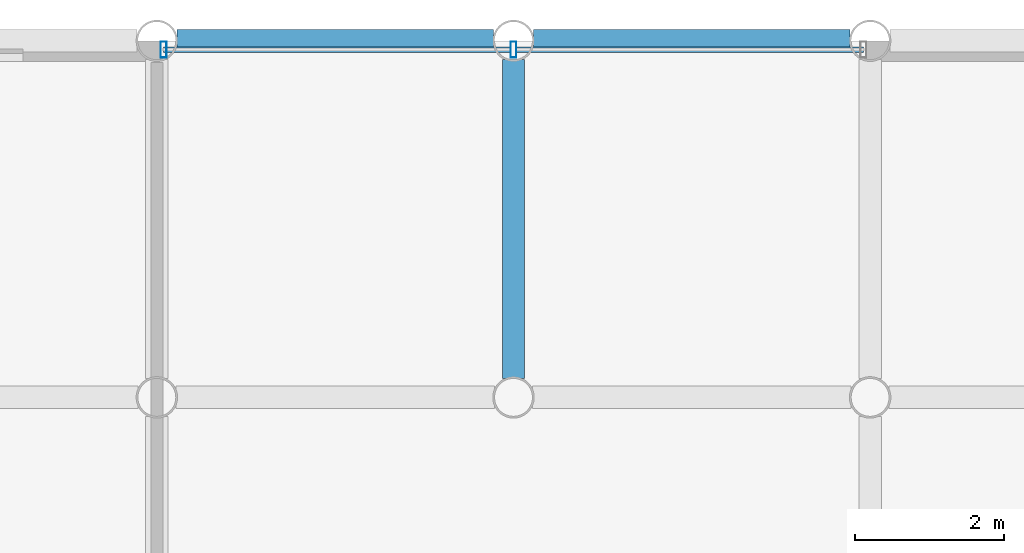
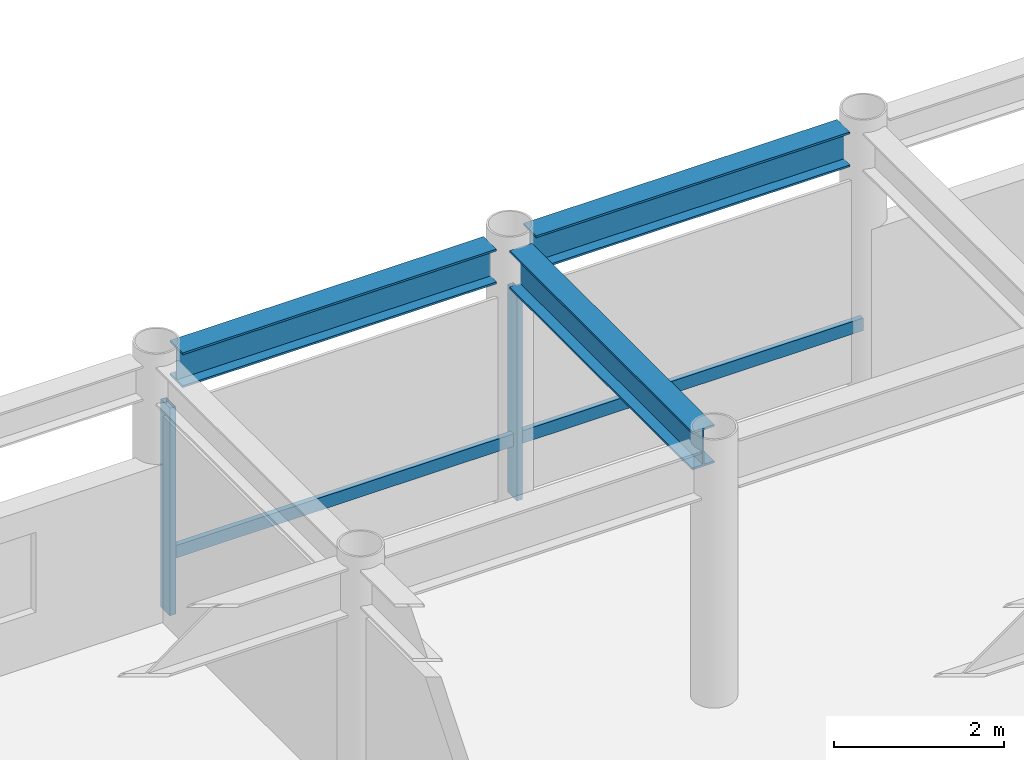
# One storey, part 14 of 22: 4 members, 3 beams, 1 element without a shape of its own.
"""IFC4 building model written with IfcOpenShell, lengths in metres."""

from ifc_helpers import new_model, si_unit, direction, frame, origin, origin_2d, place, context, subcontext, project, spatial, hollow_rectangle, i_section, extrude, material, layer, layer_set, material_profile, profile_set, type_object, element, aggregate, save


model = new_model("IFC4")

# Units and contexts
model_context = context("Model", 3, precision=1e-05, world=origin(), true_north=direction((0.0, 1.0)))
body_context = subcontext(model_context, "Body", "Model", "MODEL_VIEW")
ifc_project = project(units=[si_unit("LENGTHUNIT", "METRE"), si_unit("AREAUNIT", "SQUARE_METRE"), si_unit("VOLUMEUNIT", "CUBIC_METRE"), si_unit("PLANEANGLEUNIT", "RADIAN"), si_unit("MASSUNIT", "GRAM", prefix="KILO")], contexts=[model_context])

# Site, building, storey
site_placement = place(None, origin())
site = spatial("IfcSite", under=ifc_project, at=site_placement, CompositionType="ELEMENT")
building_placement = place(site_placement, origin())
building = spatial("IfcBuilding", under=site, at=building_placement, Name="Kallvorn Hotel Tower", CompositionType="ELEMENT")
storey_placement = place(building_placement, frame((0.0, 0.0, 230.0)))
storey = spatial("IfcBuildingStorey", under=building, at=storey_placement, Name="L57", CompositionType="ELEMENT", Elevation=230.0)

# Beams
ifc_material_1 = material(Name="Structural steel S355JR", Category="steel")
ifc_material_profile_1 = material_profile(ifc_material_1, i_section(OverallWidth=0.300048828125, OverallDepth=0.5, WebThickness=0.014404296875, FlangeThickness=0.028076171875, at=origin_2d()), Name="HE 500 B")
ifc_profile_set_1 = profile_set([ifc_material_profile_1], Name="Structural steel S355JR")
beam_type_1 = type_object("IfcBeamType", Name="BM_HE500B", PredefinedType="SPANDREL", material=ifc_profile_set_1)
for number, where, z_axis, x_axis, name in (
    (1, (-4.530517578125, 24.0, 3.419921875), (1.0, 0.0, 0.0), (0.0, 1.0, 0.0), "L58 Perimeter Spandrel 167"),
    (2, (0.26953125, 24.0, 3.419921875), (1.0, 0.0, 0.0), (0.0, 1.0, 0.0), "L58 Perimeter Spandrel 168"),
):
    element("IfcBeam", number, at=place(storey_placement, frame(where, z_axis=z_axis, x_axis=x_axis)), inside=storey, type_object=beam_type_1, Name=name, PredefinedType="SPANDREL", context=body_context, shape_type="SweptSolid", body=[
        extrude(i_section(OverallWidth=0.300048828125, OverallDepth=0.5, WebThickness=0.014404296875, FlangeThickness=0.028076171875, at=origin_2d()), origin(), (0.0, 0.0, 1.0), 4.260986328125),
    ])
ifc_material_2 = material(Name="Structural steel S355JR", Category="steel")
ifc_material_profile_2 = material_profile(ifc_material_2, i_section(OverallWidth=0.300048828125, OverallDepth=0.550048828125, WebThickness=0.014892578125, FlangeThickness=0.029052734375, at=origin_2d()), Name="HE 550 B")
ifc_profile_set_2 = profile_set([ifc_material_profile_2], Name="Structural steel S355JR")
beam_type_2 = type_object("IfcBeamType", Name="BM_HE550B", PredefinedType="SPANDREL", material=ifc_profile_set_2)
beam_placement = place(storey_placement, frame((0.0, 19.45458984375, 3.39501953125), z_axis=(0.0, 1.0, 0.0), x_axis=(-1.0, 0.0, 0.0)))
element("IfcBeam", 3, at=beam_placement, inside=storey, type_object=beam_type_2, Name="L58 Primary Y-Girder 112", PredefinedType="SPANDREL", context=body_context, shape_type="SweptSolid", body=[
    extrude(i_section(OverallWidth=0.300048828125, OverallDepth=0.550048828125, WebThickness=0.014892578125, FlangeThickness=0.029052734375, at=origin_2d()), origin(), (0.0, 0.0, 1.0), 4.291015625),
])

# Curtain wall, members
ifc_material_3 = material(Name="Thermally broken black-anodised aluminium AA 6063-T6", Category="aluminium")
ifc_layer = layer(ifc_material_3, 0.22998046875)
ifc_layer_set = layer_set([ifc_layer], Name="CW_SYS_5_HOTEL_HIGH")
curtain_wall_type = type_object("IfcCurtainWallType", Name="CW_SYS_5_HOTEL_HIGH", PredefinedType="USERDEFINED", material=ifc_layer_set)
curtain_wall_placement = place(storey_placement, origin())
curtain_wall = element("IfcCurtainWall", 4, at=curtain_wall_placement, inside=storey, type_object=curtain_wall_type, Name="L57 Dark-Glass Curtain Wall CW-L57-NC", ObjectType="UNITISED CURTAIN WALL", PredefinedType="USERDEFINED")
ifc_material_4 = material(Name="Thermally broken black-anodised aluminium AA 6063-T6", Category="aluminium")
ifc_material_profile_3 = material_profile(ifc_material_4, hollow_rectangle(XDim=0.080078125, YDim=0.219970703125, WallThickness=0.0048828125, at=origin_2d()), Name="MUL 220x80")
ifc_profile_set_3 = profile_set([ifc_material_profile_3], Name="Thermally broken black-anodised aluminium AA 6063-T6")
member_type_1 = type_object("IfcMemberType", Name="CW_MULLION_220x80", PredefinedType="MULLION", material=ifc_profile_set_3)
member_1_placement = place(storey_placement, frame((-4.7099609375, 23.8798828125, 0.02001953125), z_axis=(0.0, 0.0, 1.0), x_axis=(1.0, 0.0, 0.0)))
member_1 = element("IfcMember", 5, at=member_1_placement, type_object=member_type_1, Name="CW-L57-NC Mullion 00", PredefinedType="MULLION", context=body_context, shape_type="SweptSolid", body=[
    extrude(hollow_rectangle(XDim=0.080078125, YDim=0.219970703125, WallThickness=0.0048828125, at=origin_2d()), origin(), (0.0, 0.0, 1.0), 2.97998046875),
])
member_2_placement = place(storey_placement, frame((0.0, 23.8798828125, 0.02001953125), z_axis=(0.0, 0.0, 1.0), x_axis=(1.0, 0.0, 0.0)))
member_2 = element("IfcMember", 6, at=member_2_placement, type_object=member_type_1, Name="CW-L57-NC Mullion 01", PredefinedType="MULLION", context=body_context, shape_type="SweptSolid", body=[
    extrude(hollow_rectangle(XDim=0.080078125, YDim=0.219970703125, WallThickness=0.0048828125, at=origin_2d()), origin(), (0.0, 0.0, 1.0), 2.97998046875),
])
ifc_material_5 = material(Name="Thermally broken black-anodised aluminium AA 6063-T6", Category="aluminium")
ifc_material_profile_4 = material_profile(ifc_material_5, hollow_rectangle(XDim=0.070068359375, YDim=0.179931640625, WallThickness=0.00390625, at=origin_2d()), Name="TRN 180x70")
ifc_profile_set_4 = profile_set([ifc_material_profile_4], Name="Thermally broken black-anodised aluminium AA 6063-T6")
member_type_2 = type_object("IfcMemberType", Name="CW_TRANSOM_180x70", PredefinedType="USERDEFINED", material=ifc_profile_set_4)
member_3_placement = place(storey_placement, frame((-4.7099609375, 23.8798828125, 0.85009765625), z_axis=(1.0, 0.0, 0.0), x_axis=(0.0, 1.0, 0.0)))
member_3 = element("IfcMember", 7, at=member_3_placement, type_object=member_type_2, Name="CW-L57-NC Transom 00M", ObjectType="TRANSOM", PredefinedType="USERDEFINED", context=body_context, shape_type="SweptSolid", body=[
    extrude(hollow_rectangle(XDim=0.070068359375, YDim=0.179931640625, WallThickness=0.00390625, at=origin_2d()), origin(), (0.0, 0.0, 1.0), 4.669921875),
])
member_4_placement = place(storey_placement, frame((0.0400390625, 23.8798828125, 0.85009765625), z_axis=(1.0, 0.0, 0.0), x_axis=(0.0, 1.0, 0.0)))
member_4 = element("IfcMember", 8, at=member_4_placement, type_object=member_type_2, Name="CW-L57-NC Transom 01M", ObjectType="TRANSOM", PredefinedType="USERDEFINED", context=body_context, shape_type="SweptSolid", body=[
    extrude(hollow_rectangle(XDim=0.070068359375, YDim=0.179931640625, WallThickness=0.00390625, at=origin_2d()), origin(), (0.0, 0.0, 1.0), 4.669921875),
])
aggregate(curtain_wall, [member_1, member_2, member_3, member_4])

save(model, "model.ifc")
